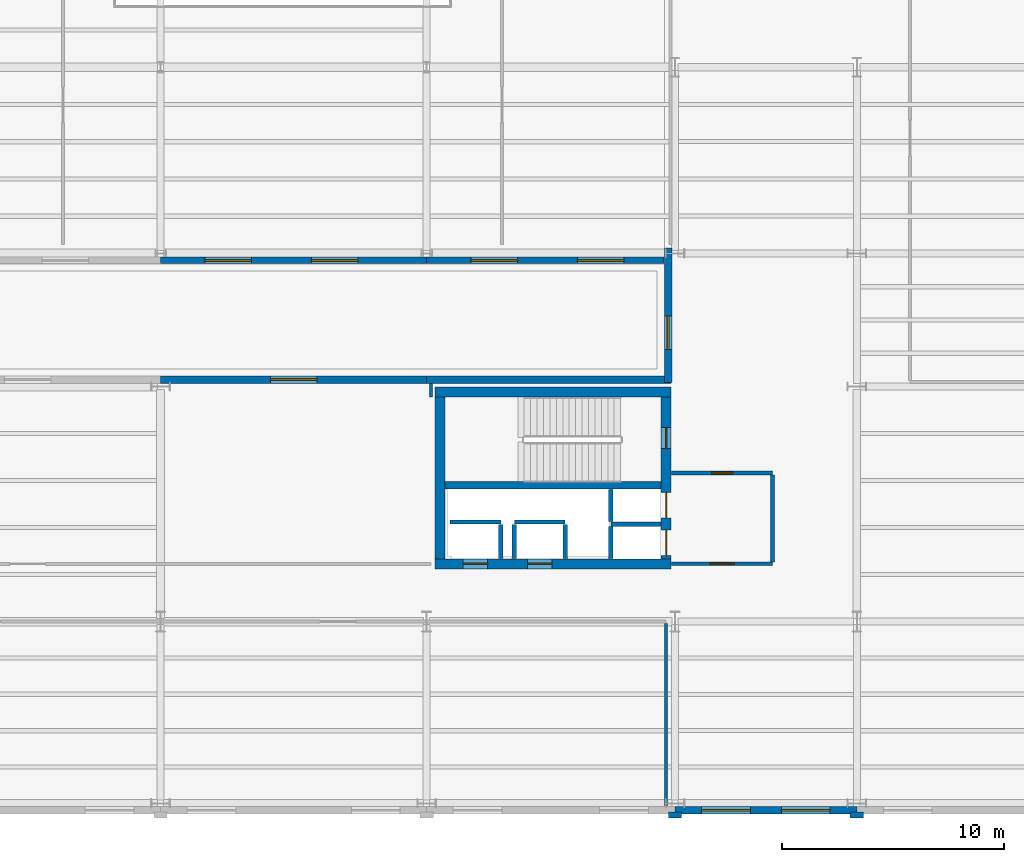
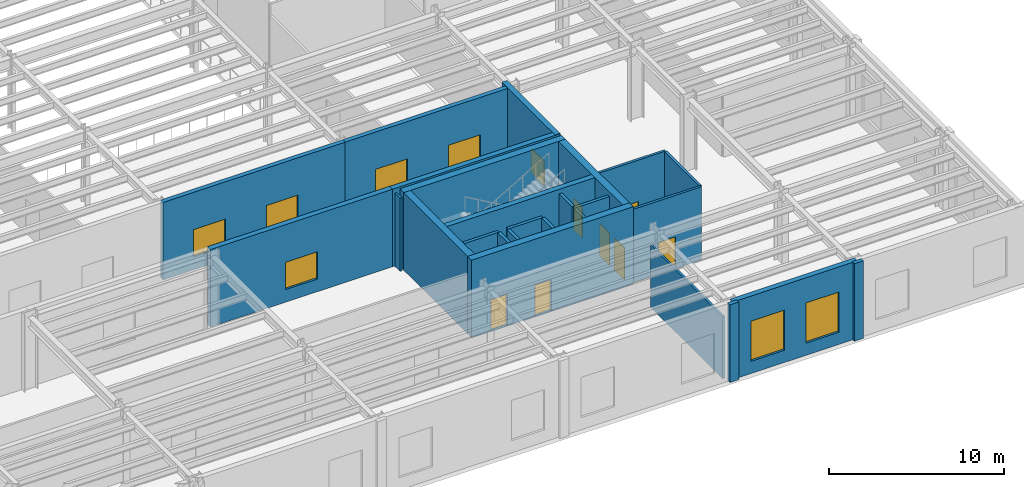
# One storey, part 81 of 98: 26 walls, 8 windows, 7 doors, 15 openings.
"""IFC4 building model written with IfcOpenShell, lengths in metres."""

from ifc_helpers import new_model, si_unit, direction, frame, frame_2d, origin, place, context, subcontext, project, spatial, rectangle, extrude, material, layer, layer_set, type_object, element, fill, save


model = new_model("IFC4")

# Units and contexts
model_context = context("Model", 3, precision=1e-05, world=origin(), true_north=direction((0.0, 1.0)))
body_context = subcontext(model_context, "Body", "Model", "MODEL_VIEW")
ifc_project = project(units=[si_unit("LENGTHUNIT", "METRE"), si_unit("AREAUNIT", "SQUARE_METRE"), si_unit("VOLUMEUNIT", "CUBIC_METRE"), si_unit("PLANEANGLEUNIT", "RADIAN"), si_unit("MASSUNIT", "GRAM", prefix="KILO")], contexts=[model_context])

# Site, building, storey
site_placement = place(None, origin())
site = spatial("IfcSite", under=ifc_project, at=site_placement, CompositionType="ELEMENT")
building_placement = place(site_placement, origin())
building = spatial("IfcBuilding", under=site, at=building_placement, Name="Sollismere Congress Hotel", CompositionType="ELEMENT")
storey_placement = place(building_placement, frame((0.0, 0.0, 5.39990234375)))
storey = spatial("IfcBuildingStorey", under=building, at=storey_placement, Name="L01", CompositionType="ELEMENT", Elevation=5.39990234375)

# Wall, openings, windows
ifc_material_1 = material(Name="Colorado Buff Sandstone Rainscreen on Insulated Backup", Category="masonry")
ifc_layer_1 = layer(ifc_material_1, 0.284912109375, Name="Colorado Buff Sandstone Rainscreen on Insulated Backup")
ifc_layer_set_1 = layer_set([ifc_layer_1], Name="Colorado Buff Sandstone Rainscreen on Insulated Backup")
wall_type_1 = type_object("IfcWallType", Name="WL-EXT285", PredefinedType="STANDARD", material=ifc_layer_set_1)
wall_1_placement = place(storey_placement, frame((124.0, 24.489990234375, 0.0), z_axis=(0.0, 0.0, 1.0), x_axis=(1.0, 0.0, 0.0)))
wall_1 = element("IfcWall", 1, at=wall_1_placement, inside=storey, type_object=wall_type_1, Name="Exterior wall EW-L01-208", PredefinedType="STANDARD", context=body_context, shape_type="SweptSolid", body=[
    extrude(rectangle(XDim=12.0, YDim=0.284912109375, at=frame_2d((6.0, 0.0))), origin(), (0.0, 0.0, 1.0), 5.400146484375),
])
opening_1_placement = place(wall_1_placement, frame((2.0, 0.0, 0.89990234375)))
opening_1 = element("IfcOpeningElement", 2, at=opening_1_placement, cuts=wall_1, Name="Opening W-L01-174", PredefinedType="OPENING", context=body_context, shape_type="SweptSolid", body=[
    extrude(rectangle(XDim=2.10009765625, YDim=1.89990234375, at=frame_2d((1.050048828125, 0.949951171875))), frame((0.0, 0.15234375, 0.0), z_axis=(0.0, -1.0, 0.0), x_axis=(1.0, 0.0, 0.0)), (0.0, 0.0, 1.0), 0.304931640625),
])
opening_2_placement = place(wall_1_placement, frame((6.800048828125, 0.0, 0.89990234375)))
opening_2 = element("IfcOpeningElement", 3, at=opening_2_placement, cuts=wall_1, Name="Opening W-L01-175", PredefinedType="OPENING", context=body_context, shape_type="SweptSolid", body=[
    extrude(rectangle(XDim=2.10009765625, YDim=1.89990234375, at=frame_2d((1.050048828125, 0.949951171875))), frame((0.0, 0.15234375, 0.0), z_axis=(0.0, -1.0, 0.0), x_axis=(1.0, 0.0, 0.0)), (0.0, 0.0, 1.0), 0.304931640625),
])
ifc_material_2 = material(Name="Thermally Broken Bronze Aluminum & Low-E Glass", Category="aluminium")
window_type_1 = type_object("IfcWindowType", Name="WN-P210x190", PartitioningType="SINGLE_PANEL", PredefinedType="WINDOW", material=ifc_material_2)
window_1_placement = place(opening_1_placement, origin())
window_1 = element("IfcWindow", 4, at=window_1_placement, inside=storey, type_object=window_type_1, Name="WIN-W-L01-174", OverallHeight=1.89990234375, OverallWidth=2.10009765625, PartitioningType="SINGLE_PANEL", PredefinedType="WINDOW", context=body_context, shape_type="SweptSolid", body=[
    extrude(rectangle(XDim=2.10009765625, YDim=1.89990234375, at=frame_2d((1.050048828125, 0.949951171875))), frame((0.0, 0.030029296875, 0.0), z_axis=(0.0, -1.0, 0.0), x_axis=(1.0, 0.0, 0.0)), (0.0, 0.0, 1.0), 0.06005859375),
])
fill(opening_1, window_1)
window_2_placement = place(opening_2_placement, origin())
window_2 = element("IfcWindow", 5, at=window_2_placement, inside=storey, type_object=window_type_1, Name="WIN-W-L01-175", OverallHeight=1.89990234375, OverallWidth=2.10009765625, PartitioningType="SINGLE_PANEL", PredefinedType="WINDOW", context=body_context, shape_type="SweptSolid", body=[
    extrude(rectangle(XDim=2.10009765625, YDim=1.89990234375, at=frame_2d((1.050048828125, 0.949951171875))), frame((0.0, 0.030029296875, 0.0), z_axis=(0.0, -1.0, 0.0), x_axis=(1.0, 0.0, 0.0)), (0.0, 0.0, 1.0), 0.06005859375),
])
fill(opening_2, window_2)

wall_2_placement = place(storey_placement, frame((136.0, 24.489990234375, 0.0), z_axis=(0.0, 0.0, 1.0), x_axis=(1.0, 0.0, 0.0)))
wall_2 = element("IfcWall", 6, at=wall_2_placement, inside=storey, type_object=wall_type_1, Name="Exterior wall EW-L01-209", PredefinedType="STANDARD", context=body_context, shape_type="SweptSolid", body=[
    extrude(rectangle(XDim=10.699951171875, YDim=0.284912109375, at=frame_2d((5.35009765625, 0.0))), origin(), (0.0, 0.0, 1.0), 5.400146484375),
])
opening_3_placement = place(wall_2_placement, frame((2.0, 0.0, 0.89990234375)))
opening_3 = element("IfcOpeningElement", 7, at=opening_3_placement, cuts=wall_2, Name="Opening W-L01-176", PredefinedType="OPENING", context=body_context, shape_type="SweptSolid", body=[
    extrude(rectangle(XDim=2.10009765625, YDim=1.89990234375, at=frame_2d((1.050048828125, 0.949951171875))), frame((0.0, 0.15234375, 0.0), z_axis=(0.0, -1.0, 0.0), x_axis=(1.0, 0.0, 0.0)), (0.0, 0.0, 1.0), 0.304931640625),
])
opening_4_placement = place(wall_2_placement, frame((6.800048828125, 0.0, 0.89990234375)))
opening_4 = element("IfcOpeningElement", 8, at=opening_4_placement, cuts=wall_2, Name="Opening W-L01-177", PredefinedType="OPENING", context=body_context, shape_type="SweptSolid", body=[
    extrude(rectangle(XDim=2.10009765625, YDim=1.89990234375, at=frame_2d((1.050048828125, 0.949951171875))), frame((0.0, 0.15234375, 0.0), z_axis=(0.0, -1.0, 0.0), x_axis=(1.0, 0.0, 0.0)), (0.0, 0.0, 1.0), 0.304931640625),
])
window_3_placement = place(opening_3_placement, origin())
window_3 = element("IfcWindow", 9, at=window_3_placement, inside=storey, type_object=window_type_1, Name="WIN-W-L01-176", OverallHeight=1.89990234375, OverallWidth=2.10009765625, PartitioningType="SINGLE_PANEL", PredefinedType="WINDOW", context=body_context, shape_type="SweptSolid", body=[
    extrude(rectangle(XDim=2.10009765625, YDim=1.89990234375, at=frame_2d((1.050048828125, 0.949951171875))), frame((0.0, 0.030029296875, 0.0), z_axis=(0.0, -1.0, 0.0), x_axis=(1.0, 0.0, 0.0)), (0.0, 0.0, 1.0), 0.06005859375),
])
fill(opening_3, window_3)
window_4_placement = place(opening_4_placement, origin())
window_4 = element("IfcWindow", 10, at=window_4_placement, inside=storey, type_object=window_type_1, Name="WIN-W-L01-177", OverallHeight=1.89990234375, OverallWidth=2.10009765625, PartitioningType="SINGLE_PANEL", PredefinedType="WINDOW", context=body_context, shape_type="SweptSolid", body=[
    extrude(rectangle(XDim=2.10009765625, YDim=1.89990234375, at=frame_2d((1.050048828125, 0.949951171875))), frame((0.0, 0.030029296875, 0.0), z_axis=(0.0, -1.0, 0.0), x_axis=(1.0, 0.0, 0.0)), (0.0, 0.0, 1.0), 0.06005859375),
])
fill(opening_4, window_4)

ifc_material_3 = material(Name="Colorado Buff Sandstone and Limestone Backup C40/50", Category="masonry")
ifc_layer_2 = layer(ifc_material_3, 0.340087890625, Name="Colorado Buff Sandstone and Limestone Backup C40/50")
ifc_layer_set_2 = layer_set([ifc_layer_2], Name="Colorado Buff Sandstone and Limestone Backup C40/50")
wall_type_2 = type_object("IfcWallType", Name="WL-EXT340", PredefinedType="STANDARD", material=ifc_layer_set_2)
wall_3_placement = place(storey_placement, frame((147.199951171875, -0.31005859375, 0.0), z_axis=(0.0, 0.0, 1.0), x_axis=(1.0, 0.0, 0.0)))
wall_3 = element("IfcWall", 11, at=wall_3_placement, inside=storey, type_object=wall_type_2, Name="Exterior wall EW-L01-291", PredefinedType="STANDARD", context=body_context, shape_type="SweptSolid", body=[
    extrude(rectangle(XDim=8.199951171875, YDim=0.340087890625, at=frame_2d((4.10009765625, 0.0))), origin(), (0.0, 0.0, 1.0), 5.400146484375),
])
opening_5_placement = place(wall_3_placement, frame((1.199951171875, 0.0, 0.85009765625)))
opening_5 = element("IfcOpeningElement", 12, at=opening_5_placement, cuts=wall_3, Name="Opening W-L01-236", PredefinedType="OPENING", context=body_context, shape_type="SweptSolid", body=[
    extrude(rectangle(XDim=2.199951171875, YDim=2.800048828125, at=frame_2d((1.10009765625, 1.39990234375))), frame((0.0, 0.179931640625, 0.0), z_axis=(0.0, -1.0, 0.0), x_axis=(1.0, 0.0, 0.0)), (0.0, 0.0, 1.0), 0.360107421875),
])
opening_6_placement = place(wall_3_placement, frame((4.800048828125, 0.0, 0.85009765625)))
opening_6 = element("IfcOpeningElement", 13, at=opening_6_placement, cuts=wall_3, Name="Opening W-L01-237", PredefinedType="OPENING", context=body_context, shape_type="SweptSolid", body=[
    extrude(rectangle(XDim=2.199951171875, YDim=2.800048828125, at=frame_2d((1.10009765625, 1.39990234375))), frame((0.0, 0.179931640625, 0.0), z_axis=(0.0, -1.0, 0.0), x_axis=(1.0, 0.0, 0.0)), (0.0, 0.0, 1.0), 0.360107421875),
])
window_type_2 = type_object("IfcWindowType", Name="WN-A220x280", PartitioningType="SINGLE_PANEL", PredefinedType="WINDOW", material=ifc_material_2)
window_5_placement = place(opening_5_placement, origin())
window_5 = element("IfcWindow", 14, at=window_5_placement, inside=storey, type_object=window_type_2, Name="WIN-W-L01-236", OverallHeight=2.800048828125, OverallWidth=2.199951171875, PartitioningType="SINGLE_PANEL", PredefinedType="WINDOW", context=body_context, shape_type="SweptSolid", body=[
    extrude(rectangle(XDim=2.199951171875, YDim=2.800048828125, at=frame_2d((1.10009765625, 1.39990234375))), frame((0.0, 0.030029296875, 0.0), z_axis=(0.0, -1.0, 0.0), x_axis=(1.0, 0.0, 0.0)), (0.0, 0.0, 1.0), 0.06005859375),
])
fill(opening_5, window_5)
window_6_placement = place(opening_6_placement, origin())
window_6 = element("IfcWindow", 15, at=window_6_placement, inside=storey, type_object=window_type_2, Name="WIN-W-L01-237", OverallHeight=2.800048828125, OverallWidth=2.199951171875, PartitioningType="SINGLE_PANEL", PredefinedType="WINDOW", context=body_context, shape_type="SweptSolid", body=[
    extrude(rectangle(XDim=2.199951171875, YDim=2.800048828125, at=frame_2d((1.10009765625, 1.39990234375))), frame((0.0, 0.030029296875, 0.0), z_axis=(0.0, -1.0, 0.0), x_axis=(1.0, 0.0, 0.0)), (0.0, 0.0, 1.0), 0.06005859375),
])
fill(opening_6, window_6)

# Wall, opening, window
wall_4_placement = place(storey_placement, frame((136.0, 19.110107421875, 0.0), z_axis=(0.0, 0.0, 1.0), x_axis=(-1.0, 0.0, 0.0)))
wall_4 = element("IfcWall", 16, at=wall_4_placement, inside=storey, type_object=wall_type_2, Name="Exterior wall EW-L01-318", PredefinedType="STANDARD", context=body_context, shape_type="SweptSolid", body=[
    extrude(rectangle(XDim=12.0, YDim=0.340087890625, at=frame_2d((6.0, 0.0))), origin(), (0.0, 0.0, 1.0), 5.400146484375),
])
opening_7_placement = place(wall_4_placement, frame((4.949951171875, 0.0, 0.8798828125)))
opening_7 = element("IfcOpeningElement", 17, at=opening_7_placement, cuts=wall_4, Name="Opening W-L01-254", PredefinedType="OPENING", context=body_context, shape_type="SweptSolid", body=[
    extrude(rectangle(XDim=2.10009765625, YDim=1.89990234375, at=frame_2d((1.050048828125, 0.949951171875))), frame((0.0, 0.179931640625, 0.0), z_axis=(0.0, -1.0, 0.0), x_axis=(1.0, 0.0, 0.0)), (0.0, 0.0, 1.0), 0.360107421875),
])
window_7_placement = place(opening_7_placement, origin())
window_7 = element("IfcWindow", 18, at=window_7_placement, inside=storey, type_object=window_type_1, Name="WIN-W-L01-254", OverallHeight=1.89990234375, OverallWidth=2.10009765625, PartitioningType="SINGLE_PANEL", PredefinedType="WINDOW", context=body_context, shape_type="SweptSolid", body=[
    extrude(rectangle(XDim=2.10009765625, YDim=1.89990234375, at=frame_2d((1.050048828125, 0.949951171875))), frame((0.0, 0.030029296875, 0.0), z_axis=(0.0, -1.0, 0.0), x_axis=(1.0, 0.0, 0.0)), (0.0, 0.0, 1.0), 0.06005859375),
])
fill(opening_7, window_7)

# Wall
wall_5_placement = place(storey_placement, frame((147.030029296875, 19.110107421875, 0.0), z_axis=(0.0, 0.0, 1.0), x_axis=(-1.0, 0.0, 0.0)))
element("IfcWall", 19, at=wall_5_placement, inside=storey, type_object=wall_type_2, Name="Exterior wall EW-L01-319", PredefinedType="STANDARD", context=body_context, shape_type="SweptSolid", body=[
    extrude(rectangle(XDim=11.030029296875, YDim=0.340087890625, at=frame_2d((5.51513671875, 0.0))), origin(), (0.0, 0.0, 1.0), 5.400146484375),
])

# Wall, opening, window
wall_6_placement = place(storey_placement, frame((146.889892578125, 18.969970703125, 0.0), z_axis=(0.0, 0.0, 1.0), x_axis=(0.0, 1.0, 0.0)))
wall_6 = element("IfcWall", 20, at=wall_6_placement, inside=storey, type_object=wall_type_2, Name="Exterior wall EW-L01-322", PredefinedType="STANDARD", context=body_context, shape_type="SweptSolid", body=[
    extrude(rectangle(XDim=6.080078125, YDim=0.340087890625, at=frame_2d((3.0400390625, 0.0))), origin(), (0.0, 0.0, 1.0), 5.400146484375),
])
opening_8_placement = place(wall_6_placement, frame((1.5, 0.0, 0.89990234375)))
opening_8 = element("IfcOpeningElement", 21, at=opening_8_placement, cuts=wall_6, Name="Opening W-L01-257", PredefinedType="OPENING", context=body_context, shape_type="SweptSolid", body=[
    extrude(rectangle(XDim=1.5, YDim=1.699951171875, at=frame_2d((0.75, 0.85009765625))), frame((0.0, 0.179931640625, 0.0), z_axis=(0.0, -1.0, 0.0), x_axis=(1.0, 0.0, 0.0)), (0.0, 0.0, 1.0), 0.360107421875),
])
window_type_3 = type_object("IfcWindowType", Name="WN-P150x170", PartitioningType="SINGLE_PANEL", PredefinedType="WINDOW", material=ifc_material_2)
window_8_placement = place(opening_8_placement, origin())
window_8 = element("IfcWindow", 22, at=window_8_placement, inside=storey, type_object=window_type_3, Name="WIN-W-L01-257", OverallHeight=1.699951171875, OverallWidth=1.5, PartitioningType="SINGLE_PANEL", PredefinedType="WINDOW", context=body_context, shape_type="SweptSolid", body=[
    extrude(rectangle(XDim=1.5, YDim=1.699951171875, at=frame_2d((0.75, 0.85009765625))), frame((0.0, 0.030029296875, 0.0), z_axis=(0.0, -1.0, 0.0), x_axis=(1.0, 0.0, 0.0)), (0.0, 0.0, 1.0), 0.06005859375),
])
fill(opening_8, window_8)

# Walls
ifc_material_4 = material(Name="Carved Travertine Pilaster & Frieze Assembly", Category="masonry")
ifc_layer_3 = layer(ifc_material_4, 0.260009765625, Name="Carved Travertine Pilaster & Frieze Assembly")
ifc_layer_set_3 = layer_set([ifc_layer_3], Name="Carved Travertine Pilaster & Frieze Assembly")
wall_type_3 = type_object("IfcWallType", Name="WL-PIL280", PredefinedType="ELEMENTEDWALL", material=ifc_layer_set_3)
wall_7_placement = place(storey_placement, frame((146.89990234375, -0.52001953125, 0.0), z_axis=(0.0, 0.0, 1.0), x_axis=(1.0, 0.0, 0.0)))
element("IfcWall", 23, at=wall_7_placement, inside=storey, type_object=wall_type_3, Name="Exterior wall EW-L01-292", PredefinedType="ELEMENTEDWALL", context=body_context, shape_type="SweptSolid", body=[
    extrude(rectangle(XDim=0.60009765625, YDim=0.260009765625, at=frame_2d((0.300048828125, 0.0))), origin(), (0.0, 0.0, 1.0), 5.400146484375),
])
wall_8_placement = place(storey_placement, frame((155.10009765625, -0.52001953125, 0.0), z_axis=(0.0, 0.0, 1.0), x_axis=(1.0, 0.0, 0.0)))
element("IfcWall", 24, at=wall_8_placement, inside=storey, type_object=wall_type_3, Name="Exterior wall EW-L01-294", PredefinedType="ELEMENTEDWALL", context=body_context, shape_type="SweptSolid", body=[
    extrude(rectangle(XDim=0.599853515625, YDim=0.260009765625, at=frame_2d((0.2998046875, 0.0))), origin(), (0.0, 0.0, 1.0), 5.400146484375),
])
ifc_material_5 = material(Name="Moisture-Resistant Shaft Gypsum Assembly")
ifc_layer_4 = layer(ifc_material_5, 0.199951171875, Name="Moisture-Resistant Shaft Gypsum Assembly")
ifc_layer_set_4 = layer_set([ifc_layer_4], Name="Moisture-Resistant Shaft Gypsum Assembly")
wall_type_4 = type_object("IfcWallType", Name="WL-PLM200", PredefinedType="PLUMBINGWALL", material=ifc_layer_set_4)
wall_9_placement = place(storey_placement, frame((137.054931640625, 12.68994140625, 0.0), z_axis=(0.0, 0.0, 1.0), x_axis=(1.0, 0.0, 0.0)))
element("IfcWall", 25, at=wall_9_placement, inside=storey, type_object=wall_type_4, Name="Interior wall IW-L01-0038", PredefinedType="PLUMBINGWALL", context=body_context, shape_type="SweptSolid", body=[
    extrude(rectangle(XDim=2.2900390625, YDim=0.199951171875, at=frame_2d((1.14501953125, 0.0))), origin(), (0.0, 0.0, 1.0), 5.09521484375),
])
wall_10_placement = place(storey_placement, frame((139.344970703125, 11.037109375, 0.0), z_axis=(0.0, 0.0, 1.0), x_axis=(0.0, 1.0, 0.0)))
element("IfcWall", 26, at=wall_10_placement, inside=storey, type_object=wall_type_4, Name="Interior wall IW-L01-0039", PredefinedType="PLUMBINGWALL", context=body_context, shape_type="SweptSolid", body=[
    extrude(rectangle(XDim=1.540771484375, YDim=0.199951171875, at=frame_2d((0.7705078125, 0.0))), origin(), (0.0, 0.0, 1.0), 5.09521484375),
])
wall_11_placement = place(storey_placement, frame((139.955078125, 12.68994140625, 0.0), z_axis=(0.0, 0.0, 1.0), x_axis=(1.0, 0.0, 0.0)))
element("IfcWall", 27, at=wall_11_placement, inside=storey, type_object=wall_type_4, Name="Interior wall IW-L01-0040", PredefinedType="PLUMBINGWALL", context=body_context, shape_type="SweptSolid", body=[
    extrude(rectangle(XDim=2.2900390625, YDim=0.199951171875, at=frame_2d((1.14501953125, 0.0))), origin(), (0.0, 0.0, 1.0), 5.09521484375),
])
for number, where, z_axis, x_axis, name in (
    (28, (139.955078125, 11.037109375, 0.0), (0.0, 0.0, 1.0), (0.0, 1.0, 0.0), "Interior wall IW-L01-0041"),
    (29, (142.2451171875, 11.037109375, 0.0), (0.0, 0.0, 1.0), (0.0, 1.0, 0.0), "Interior wall IW-L01-0042"),
):
    element("IfcWall", number, at=place(storey_placement, frame(where, z_axis=z_axis, x_axis=x_axis)), inside=storey, type_object=wall_type_4, Name=name, PredefinedType="PLUMBINGWALL", context=body_context, shape_type="SweptSolid", body=[
        extrude(rectangle(XDim=1.540771484375, YDim=0.199951171875, at=frame_2d((0.7705078125, 0.0))), origin(), (0.0, 0.0, 1.0), 5.09521484375),
    ])
wall_12_placement = place(storey_placement, frame((144.31005859375, 12.594970703125, 0.0), z_axis=(0.0, 0.0, 1.0), x_axis=(1.0, 0.0, 0.0)))
element("IfcWall", 30, at=wall_12_placement, inside=storey, type_object=wall_type_4, Name="Interior wall IW-L01-0043", PredefinedType="PLUMBINGWALL", context=body_context, shape_type="SweptSolid", body=[
    extrude(rectangle(XDim=2.2529296875, YDim=0.199951171875, at=frame_2d((1.12646484375, 0.0))), origin(), (0.0, 0.0, 1.0), 5.09521484375),
])
wall_13_placement = place(storey_placement, frame((144.31005859375, 11.037109375, 0.0), z_axis=(0.0, 0.0, 1.0), x_axis=(0.0, 1.0, 0.0)))
element("IfcWall", 31, at=wall_13_placement, inside=storey, type_object=wall_type_4, Name="Interior wall IW-L01-0044", PredefinedType="PLUMBINGWALL", context=body_context, shape_type="SweptSolid", body=[
    extrude(rectangle(XDim=1.44580078125, YDim=0.199951171875, at=frame_2d((0.722900390625, 0.0))), origin(), (0.0, 0.0, 1.0), 5.09521484375),
])
wall_14_placement = place(storey_placement, frame((144.31005859375, 12.70703125, 0.0), z_axis=(0.0, 0.0, 1.0), x_axis=(0.0, 1.0, 0.0)))
element("IfcWall", 32, at=wall_14_placement, inside=storey, type_object=wall_type_4, Name="Interior wall IW-L01-0045", PredefinedType="PLUMBINGWALL", context=body_context, shape_type="SweptSolid", body=[
    extrude(rectangle(XDim=1.4560546875, YDim=0.199951171875, at=frame_2d((0.72802734375, 0.0))), origin(), (0.0, 0.0, 1.0), 5.09521484375),
])
ifc_material_6 = material(Name="Fire-Rated Gypsum Partition")
ifc_layer_5 = layer(ifc_material_6, 0.139892578125, Name="Fire-Rated Gypsum Partition")
ifc_layer_set_5 = layer_set([ifc_layer_5], Name="Fire-Rated Gypsum Partition")
wall_type_5 = type_object("IfcWallType", Name="WL-PRT140R", PredefinedType="PARTITIONING", material=ifc_layer_set_5)
wall_15_placement = place(storey_placement, frame((136.199951171875, 18.324951171875, 0.0), z_axis=(0.0, 0.0, 1.0), x_axis=(0.0, 1.0, 0.0)))
element("IfcWall", 33, at=wall_15_placement, inside=storey, type_object=wall_type_5, Name="Interior wall IW-L01-0924", PredefinedType="PARTITIONING", context=body_context, shape_type="SweptSolid", body=[
    extrude(rectangle(XDim=0.60009765625, YDim=0.139892578125, at=frame_2d((0.300048828125, 0.0))), origin(), (0.0, 0.0, 1.0), 5.09521484375),
])
wall_16_placement = place(storey_placement, frame((146.800048828125, -0.125, 0.0), z_axis=(0.0, 0.0, 1.0), x_axis=(0.0, 1.0, 0.0)))
element("IfcWall", 34, at=wall_16_placement, inside=storey, type_object=wall_type_5, Name="Interior wall IW-L01-0928", PredefinedType="PARTITIONING", context=body_context, shape_type="SweptSolid", body=[
    extrude(rectangle(XDim=8.242919921875, YDim=0.139892578125, at=frame_2d((4.12158203125, 0.0))), origin(), (0.0, 0.0, 1.0), 4.3330078125),
])

# Wall, opening, door
ifc_material_7 = material(Name="Fire-Rated Acoustic Gypsum Partition")
ifc_layer_6 = layer(ifc_material_7, 0.1650390625, Name="Fire-Rated Acoustic Gypsum Partition")
ifc_layer_set_6 = layer_set([ifc_layer_6], Name="Fire-Rated Acoustic Gypsum Partition")
wall_type_6 = type_object("IfcWallType", Name="WL-PRT165R", PredefinedType="PARTITIONING", material=ifc_layer_set_6)
wall_17_placement = place(storey_placement, frame((147.050048828125, 10.800048828125, 0.0), z_axis=(0.0, 0.0, 1.0), x_axis=(1.0, 0.0, 0.0)))
wall_17 = element("IfcWall", 35, at=wall_17_placement, inside=storey, type_object=wall_type_6, Name="Interior wall IW-L01-0046", PredefinedType="PARTITIONING", context=body_context, shape_type="SweptSolid", body=[
    extrude(rectangle(XDim=4.550048828125, YDim=0.1650390625, at=frame_2d((2.27490234375, 0.0))), origin(), (0.0, 0.0, 1.0), 5.09521484375),
])
opening_9_placement = place(wall_17_placement, frame((1.72509765625, 0.0, 0.0)))
opening_9 = element("IfcOpeningElement", 36, at=opening_9_placement, cuts=wall_17, Name="Opening D-FFL-L01", PredefinedType="OPENING", context=body_context, shape_type="SweptSolid", body=[
    extrude(rectangle(XDim=1.10009765625, YDim=2.199951171875, at=frame_2d((0.550048828125, 1.10009765625))), frame((0.0, 0.092529296875, 0.0), z_axis=(0.0, -1.0, 0.0), x_axis=(1.0, 0.0, 0.0)), (0.0, 0.0, 1.0), 0.18505859375),
])
ifc_material_8 = material(Name="Smoke-Barrier Rated Timber-Clad Steel Door", Category="steel")
door_type_1 = type_object("IfcDoorType", Name="DR-FFL110", OperationType="NOTDEFINED", PredefinedType="DOOR", material=ifc_material_8)
door_1_placement = place(opening_9_placement, origin())
door_1 = element("IfcDoor", 37, at=door_1_placement, inside=storey, type_object=door_type_1, Name="Firefighting lobby smoke door D-FFL-L01", OperationType="SINGLE_SWING_RIGHT", OverallHeight=2.199951171875, OverallWidth=1.10009765625, PredefinedType="DOOR", context=body_context, shape_type="SweptSolid", body=[
    extrude(rectangle(XDim=1.10009765625, YDim=2.199951171875, at=frame_2d((0.550048828125, 1.10009765625))), frame((0.0, 0.02490234375, 0.0), z_axis=(0.0, -1.0, 0.0), x_axis=(1.0, 0.0, 0.0)), (0.0, 0.0, 1.0), 0.050048828125),
])
fill(opening_9, door_1)

wall_18_placement = place(storey_placement, frame((147.050048828125, 14.89990234375, 0.0), z_axis=(0.0, 0.0, 1.0), x_axis=(1.0, 0.0, 0.0)))
wall_18 = element("IfcWall", 38, at=wall_18_placement, inside=storey, type_object=wall_type_6, Name="Interior wall IW-L01-0047", PredefinedType="PARTITIONING", context=body_context, shape_type="SweptSolid", body=[
    extrude(rectangle(XDim=4.550048828125, YDim=0.1650390625, at=frame_2d((2.27490234375, 0.0))), origin(), (0.0, 0.0, 1.0), 5.09521484375),
])
opening_10_placement = place(wall_18_placement, frame((1.800048828125, 0.0, 0.0)))
opening_10 = element("IfcOpeningElement", 39, at=opening_10_placement, cuts=wall_18, Name="Opening D-FFS-L01", PredefinedType="OPENING", context=body_context, shape_type="SweptSolid", body=[
    extrude(rectangle(XDim=0.949951171875, YDim=2.199951171875, at=frame_2d((0.47509765625, 1.10009765625))), frame((0.0, 0.092529296875, 0.0), z_axis=(0.0, -1.0, 0.0), x_axis=(1.0, 0.0, 0.0)), (0.0, 0.0, 1.0), 0.18505859375),
])
ifc_material_9 = material(Name="Fire-Rated Insulated Steel Door", Category="steel")
door_type_2 = type_object("IfcDoorType", Name="DR-FD90", OperationType="NOTDEFINED", PredefinedType="DOOR", material=ifc_material_9)
door_2_placement = place(opening_10_placement, origin())
door_2 = element("IfcDoor", 40, at=door_2_placement, inside=storey, type_object=door_type_2, Name="Firefighting stair vestibule door D-FFS-L01", OperationType="SINGLE_SWING_LEFT", OverallHeight=2.199951171875, OverallWidth=0.949951171875, PredefinedType="DOOR", context=body_context, shape_type="SweptSolid", body=[
    extrude(rectangle(XDim=0.949951171875, YDim=2.199951171875, at=frame_2d((0.47509765625, 1.10009765625))), frame((0.0, 0.02490234375, 0.0), z_axis=(0.0, -1.0, 0.0), x_axis=(1.0, 0.0, 0.0)), (0.0, 0.0, 1.0), 0.050048828125),
])
fill(opening_10, door_2)

# Walls
wall_19_placement = place(storey_placement, frame((151.60009765625, 10.89453125, 0.0), z_axis=(0.0, 0.0, 1.0), x_axis=(0.0, 1.0, 0.0)))
element("IfcWall", 41, at=wall_19_placement, inside=storey, type_object=wall_type_6, Name="Interior wall IW-L01-0048", PredefinedType="PARTITIONING", context=body_context, shape_type="SweptSolid", body=[
    extrude(rectangle(XDim=3.910888671875, YDim=0.1650390625, at=frame_2d((1.95556640625, 0.0))), origin(), (0.0, 0.0, 1.0), 5.09521484375),
])
ifc_material_10 = material(Name="Concrete C50/60", Category="concrete")
ifc_layer_7 = layer(ifc_material_10, 0.35009765625, Name="Concrete C50/60")
ifc_layer_set_7 = layer_set([ifc_layer_7], Name="Concrete C50/60")
wall_type_7 = type_object("IfcWallType", Name="WL-SHR350", PredefinedType="SHEAR", material=ifc_layer_set_7)
wall_20_placement = place(storey_placement, frame((136.824951171875, 14.35009765625, 0.0), z_axis=(0.0, 0.0, 1.0), x_axis=(1.0, 0.0, 0.0)))
element("IfcWall", 42, at=wall_20_placement, inside=storey, type_object=wall_type_7, Name="Interior wall IW-L01-0037", PredefinedType="SHEAR", context=body_context, shape_type="SweptSolid", body=[
    extrude(rectangle(XDim=9.75, YDim=0.35009765625, at=frame_2d((4.875, 0.0))), origin(), (0.0, 0.0, 1.0), 5.400146484375),
])

# Wall, openings, doors
ifc_layer_8 = layer(ifc_material_10, 0.449951171875, Name="Concrete C50/60")
ifc_layer_set_8 = layer_set([ifc_layer_8], Name="Concrete C50/60")
wall_type_8 = type_object("IfcWallType", Name="WL-SHR450", PredefinedType="SHEAR", material=ifc_layer_set_8)
wall_21_placement = place(storey_placement, frame((136.375, 10.800048828125, 0.0), z_axis=(0.0, 0.0, 1.0), x_axis=(1.0, 0.0, 0.0)))
wall_21 = element("IfcWall", 43, at=wall_21_placement, inside=storey, type_object=wall_type_8, Name="Interior wall IW-L01-0033", PredefinedType="SHEAR", context=body_context, shape_type="SweptSolid", body=[
    extrude(rectangle(XDim=10.64990234375, YDim=0.449951171875, at=frame_2d((5.324951171875, 0.0))), origin(), (0.0, 0.0, 1.0), 5.400146484375),
])
opening_11_placement = place(wall_21_placement, frame((1.27490234375, 0.0, 0.0)))
opening_11 = element("IfcOpeningElement", 44, at=opening_11_placement, cuts=wall_21, Name="Opening LD-LP-01-L01", PredefinedType="OPENING", context=body_context, shape_type="SweptSolid", body=[
    extrude(rectangle(XDim=1.10009765625, YDim=2.199951171875, at=frame_2d((0.550048828125, 1.10009765625))), frame((0.0, 0.23486328125, 0.0), z_axis=(0.0, -1.0, 0.0), x_axis=(1.0, 0.0, 0.0)), (0.0, 0.0, 1.0), 0.469970703125),
])
opening_12_placement = place(wall_21_placement, frame((4.175048828125, 0.0, 0.0)))
opening_12 = element("IfcOpeningElement", 45, at=opening_12_placement, cuts=wall_21, Name="Opening LD-LP-02-L01", PredefinedType="OPENING", context=body_context, shape_type="SweptSolid", body=[
    extrude(rectangle(XDim=1.10009765625, YDim=2.199951171875, at=frame_2d((0.550048828125, 1.10009765625))), frame((0.0, 0.23486328125, 0.0), z_axis=(0.0, -1.0, 0.0), x_axis=(1.0, 0.0, 0.0)), (0.0, 0.0, 1.0), 0.469970703125),
])
ifc_material_11 = material(Name="Brushed Bronze Sliding Elevator Landing Door")
door_type_3 = type_object("IfcDoorType", Name="DR-LD110", OperationType="NOTDEFINED", PredefinedType="DOOR", material=ifc_material_11)
door_3_placement = place(opening_11_placement, origin())
door_3 = element("IfcDoor", 46, at=door_3_placement, inside=storey, type_object=door_type_3, Name="Elevator landing door LD-LP-01-L01", OperationType="SLIDING_TO_LEFT", OverallHeight=2.199951171875, OverallWidth=1.10009765625, PredefinedType="DOOR", context=body_context, shape_type="SweptSolid", body=[
    extrude(rectangle(XDim=1.10009765625, YDim=2.199951171875, at=frame_2d((0.550048828125, 1.10009765625))), frame((0.0, 0.02490234375, 0.0), z_axis=(0.0, -1.0, 0.0), x_axis=(1.0, 0.0, 0.0)), (0.0, 0.0, 1.0), 0.050048828125),
])
fill(opening_11, door_3)
door_4_placement = place(opening_12_placement, origin())
door_4 = element("IfcDoor", 47, at=door_4_placement, inside=storey, type_object=door_type_3, Name="Elevator landing door LD-LP-02-L01", OperationType="SLIDING_TO_RIGHT", OverallHeight=2.199951171875, OverallWidth=1.10009765625, PredefinedType="DOOR", context=body_context, shape_type="SweptSolid", body=[
    extrude(rectangle(XDim=1.10009765625, YDim=2.199951171875, at=frame_2d((0.550048828125, 1.10009765625))), frame((0.0, 0.02490234375, 0.0), z_axis=(0.0, -1.0, 0.0), x_axis=(1.0, 0.0, 0.0)), (0.0, 0.0, 1.0), 0.050048828125),
])
fill(opening_12, door_4)

# Walls
wall_22_placement = place(storey_placement, frame((147.02490234375, 18.550048828125, 0.0), z_axis=(0.0, 0.0, 1.0), x_axis=(-1.0, 0.0, 0.0)))
element("IfcWall", 48, at=wall_22_placement, inside=storey, type_object=wall_type_8, Name="Interior wall IW-L01-0034", PredefinedType="SHEAR", context=body_context, shape_type="SweptSolid", body=[
    extrude(rectangle(XDim=10.64990234375, YDim=0.449951171875, at=frame_2d((5.324951171875, 0.0))), origin(), (0.0, 0.0, 1.0), 5.400146484375),
])
wall_23_placement = place(storey_placement, frame((136.60009765625, 18.324951171875, 0.0), z_axis=(0.0, 0.0, 1.0), x_axis=(0.0, -1.0, 0.0)))
element("IfcWall", 49, at=wall_23_placement, inside=storey, type_object=wall_type_8, Name="Interior wall IW-L01-0035", PredefinedType="SHEAR", context=body_context, shape_type="SweptSolid", body=[
    extrude(rectangle(XDim=7.300048828125, YDim=0.449951171875, at=frame_2d((3.64990234375, 0.0))), origin(), (0.0, 0.0, 1.0), 5.400146484375),
])

# Wall, openings, doors
wall_24_placement = place(storey_placement, frame((146.800048828125, 11.02490234375, 0.0), z_axis=(0.0, 0.0, 1.0), x_axis=(0.0, 1.0, 0.0)))
wall_24 = element("IfcWall", 50, at=wall_24_placement, inside=storey, type_object=wall_type_8, Name="Interior wall IW-L01-0036", PredefinedType="SHEAR", context=body_context, shape_type="SweptSolid", body=[
    extrude(rectangle(XDim=7.300048828125, YDim=0.449951171875, at=frame_2d((3.64990234375, 0.0))), origin(), (0.0, 0.0, 1.0), 5.400146484375),
])
opening_13_placement = place(wall_24_placement, frame((4.97509765625, 0.0, 0.0)))
opening_13 = element("IfcOpeningElement", 51, at=opening_13_placement, cuts=wall_24, Name="Opening D-ST-01-L01", PredefinedType="OPENING", context=body_context, shape_type="SweptSolid", body=[
    extrude(rectangle(XDim=0.949951171875, YDim=2.199951171875, at=frame_2d((0.47509765625, 1.10009765625))), frame((0.0, 0.23486328125, 0.0), z_axis=(0.0, -1.0, 0.0), x_axis=(1.0, 0.0, 0.0)), (0.0, 0.0, 1.0), 0.469970703125),
])
opening_14_placement = place(wall_24_placement, frame((0.14990234375, 0.0, 0.0)))
opening_14 = element("IfcOpeningElement", 52, at=opening_14_placement, cuts=wall_24, Name="Opening LD-FL-01-L01", PredefinedType="OPENING", context=body_context, shape_type="SweptSolid", body=[
    extrude(rectangle(XDim=1.14990234375, YDim=2.25, at=frame_2d((0.574951171875, 1.125))), frame((0.0, 0.23486328125, 0.0), z_axis=(0.0, -1.0, 0.0), x_axis=(1.0, 0.0, 0.0)), (0.0, 0.0, 1.0), 0.469970703125),
])
opening_15_placement = place(wall_24_placement, frame((1.85009765625, 0.0, 0.0)))
opening_15 = element("IfcOpeningElement", 53, at=opening_15_placement, cuts=wall_24, Name="Opening LD-FL-02-L01", PredefinedType="OPENING", context=body_context, shape_type="SweptSolid", body=[
    extrude(rectangle(XDim=1.14990234375, YDim=2.25, at=frame_2d((0.574951171875, 1.125))), frame((0.0, 0.23486328125, 0.0), z_axis=(0.0, -1.0, 0.0), x_axis=(1.0, 0.0, 0.0)), (0.0, 0.0, 1.0), 0.469970703125),
])
door_5_placement = place(opening_13_placement, origin())
door_5 = element("IfcDoor", 54, at=door_5_placement, inside=storey, type_object=door_type_2, Name="Exit stair fire door D-ST-01-L01", OperationType="SINGLE_SWING_LEFT", OverallHeight=2.199951171875, OverallWidth=0.949951171875, PredefinedType="DOOR", context=body_context, shape_type="SweptSolid", body=[
    extrude(rectangle(XDim=0.949951171875, YDim=2.199951171875, at=frame_2d((0.47509765625, 1.10009765625))), frame((0.0, 0.02490234375, 0.0), z_axis=(0.0, -1.0, 0.0), x_axis=(1.0, 0.0, 0.0)), (0.0, 0.0, 1.0), 0.050048828125),
])
fill(opening_13, door_5)
ifc_material_12 = material(Name="Stainless Steel Sliding Elevator Landing Door", Category="steel")
door_type_4 = type_object("IfcDoorType", Name="DR-LD115", OperationType="NOTDEFINED", PredefinedType="DOOR", material=ifc_material_12)
door_6_placement = place(opening_14_placement, origin())
door_6 = element("IfcDoor", 55, at=door_6_placement, inside=storey, type_object=door_type_4, Name="Elevator landing door LD-FL-01-L01", OperationType="SLIDING_TO_LEFT", OverallHeight=2.25, OverallWidth=1.14990234375, PredefinedType="DOOR", context=body_context, shape_type="SweptSolid", body=[
    extrude(rectangle(XDim=1.14990234375, YDim=2.25, at=frame_2d((0.574951171875, 1.125))), frame((0.0, 0.02490234375, 0.0), z_axis=(0.0, -1.0, 0.0), x_axis=(1.0, 0.0, 0.0)), (0.0, 0.0, 1.0), 0.050048828125),
])
fill(opening_14, door_6)
door_7_placement = place(opening_15_placement, origin())
door_7 = element("IfcDoor", 56, at=door_7_placement, inside=storey, type_object=door_type_4, Name="Elevator landing door LD-FL-02-L01", OperationType="SLIDING_TO_RIGHT", OverallHeight=2.25, OverallWidth=1.14990234375, PredefinedType="DOOR", context=body_context, shape_type="SweptSolid", body=[
    extrude(rectangle(XDim=1.14990234375, YDim=2.25, at=frame_2d((0.574951171875, 1.125))), frame((0.0, 0.02490234375, 0.0), z_axis=(0.0, -1.0, 0.0), x_axis=(1.0, 0.0, 0.0)), (0.0, 0.0, 1.0), 0.050048828125),
])
fill(opening_15, door_7)

save(model, "model.ifc")
